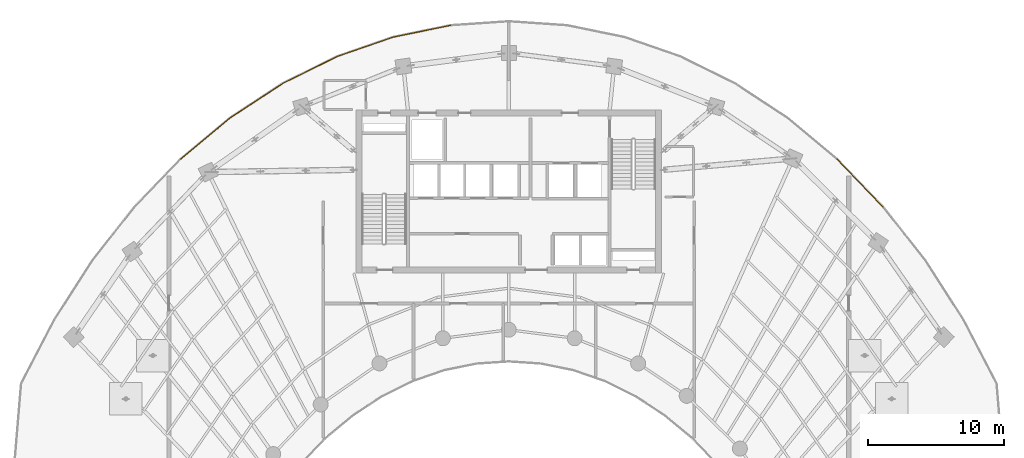
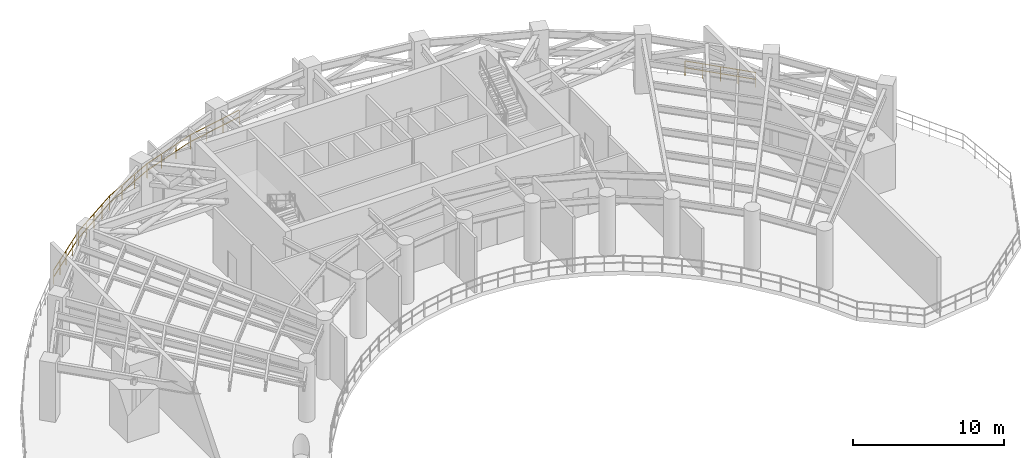
# One storey, part 21 of 24: 6 railings.
"""IFC4 building model written with IfcOpenShell, lengths in metres."""

from ifc_helpers import new_model, si_unit, direction, frame, origin, origin_2d, place, context, subcontext, project, spatial, rectangle, extrude, material, type_object, element, save


model = new_model("IFC4")

# Units and contexts
model_context = context("Model", 3, precision=1e-05, world=origin(), true_north=direction((0.0, 1.0)))
body_context = subcontext(model_context, "Body", "Model", "MODEL_VIEW")
ifc_project = project(units=[si_unit("LENGTHUNIT", "METRE"), si_unit("AREAUNIT", "SQUARE_METRE"), si_unit("VOLUMEUNIT", "CUBIC_METRE"), si_unit("PLANEANGLEUNIT", "RADIAN"), si_unit("MASSUNIT", "GRAM", prefix="KILO")], contexts=[model_context])

# Site, building, storey
site_placement = place(None, origin())
site = spatial("IfcSite", under=ifc_project, at=site_placement, CompositionType="ELEMENT")
building_placement = place(site_placement, origin())
building = spatial("IfcBuilding", under=site, at=building_placement, Name="Breltana Convention Tower", CompositionType="ELEMENT")
storey_placement = place(building_placement, frame((0.0, 0.0, 189.60009765625)))
storey = spatial("IfcBuildingStorey", under=building, at=storey_placement, Name="L46", CompositionType="ELEMENT", Elevation=189.60009765625)

# Railings
ifc_material = material(Name="Stainless Steel 316L", Category="steel")
railing_type = type_object("IfcRailingType", Name="RL-WIND-GUARD-1200", PredefinedType="BALUSTRADE", material=ifc_material)
railing_1_placement = place(storey_placement, frame((23.869873046875, 68.5810546875, 0.0)))
element("IfcRailing", 1, at=railing_1_placement, inside=storey, type_object=railing_type, Name="L46 perimeter balustrade 54", PredefinedType="BALUSTRADE", context=body_context, shape_type="SweptSolid", body=[
    extrude(rectangle(XDim=0.048095703125, YDim=0.048095703125, at=origin_2d()), frame((0.0, 0.0, 1.17578125), z_axis=(0.7679717109, 0.640483763461, 0.0), x_axis=(-0.640483763461, 0.7679717109, 0.0)), (0.0, 0.0, 1.0), 4.73193359375),
    extrude(rectangle(XDim=0.048095703125, YDim=0.048095703125, at=origin_2d()), frame((0.0, 0.0, 0.6240234375), z_axis=(0.7679717109, 0.640483763461, 0.0), x_axis=(-0.640483763461, 0.7679717109, 0.0)), (0.0, 0.0, 1.0), 4.73193359375),
    extrude(rectangle(XDim=0.0419921875, YDim=0.0419921875, at=origin_2d()), origin(), (0.0, 0.0, 1.0), 1.15185546875),
    extrude(rectangle(XDim=0.0419921875, YDim=0.0419921875, at=origin_2d()), frame((0.908447265625, 0.7578125, 0.0)), (0.0, 0.0, 1.0), 1.15185546875),
    extrude(rectangle(XDim=0.0419921875, YDim=0.0419921875, at=origin_2d()), frame((1.81689453125, 1.515380859375, 0.0)), (0.0, 0.0, 1.0), 1.15185546875),
    extrude(rectangle(XDim=0.0419921875, YDim=0.0419921875, at=origin_2d()), frame((2.7255859375, 2.27294921875, 0.0)), (0.0, 0.0, 1.0), 1.15185546875),
    extrude(rectangle(XDim=0.0419921875, YDim=0.0419921875, at=origin_2d()), frame((3.634033203125, 3.03076171875, 0.0)), (0.0, 0.0, 1.0), 1.15185546875),
])
railing_2_placement = place(storey_placement, frame((27.50390625, 71.61181640625, 0.0)))
element("IfcRailing", 2, at=railing_2_placement, inside=storey, type_object=railing_type, Name="L46 perimeter balustrade 55", PredefinedType="BALUSTRADE", context=body_context, shape_type="SweptSolid", body=[
    extrude(rectangle(XDim=0.048095703125, YDim=0.048095703125, at=origin_2d()), frame((0.0, 0.0, 1.17578125), z_axis=(0.835935222433, 0.548828118718, 0.0), x_axis=(-0.548828118718, 0.835935222433, 0.0)), (0.0, 0.0, 1.0), 4.596923828125),
    extrude(rectangle(XDim=0.048095703125, YDim=0.048095703125, at=origin_2d()), frame((0.0, 0.0, 0.6240234375), z_axis=(0.835935222433, 0.548828118718, 0.0), x_axis=(-0.548828118718, 0.835935222433, 0.0)), (0.0, 0.0, 1.0), 4.596923828125),
    extrude(rectangle(XDim=0.0419921875, YDim=0.0419921875, at=origin_2d()), origin(), (0.0, 0.0, 1.0), 1.15185546875),
    extrude(rectangle(XDim=0.0419921875, YDim=0.0419921875, at=origin_2d()), frame((0.960693359375, 0.630859375, 0.0)), (0.0, 0.0, 1.0), 1.15185546875),
    extrude(rectangle(XDim=0.0419921875, YDim=0.0419921875, at=origin_2d()), frame((1.92138671875, 1.261474609375, 0.0)), (0.0, 0.0, 1.0), 1.15185546875),
    extrude(rectangle(XDim=0.0419921875, YDim=0.0419921875, at=origin_2d()), frame((2.882080078125, 1.89208984375, 0.0)), (0.0, 0.0, 1.0), 1.15185546875),
    extrude(rectangle(XDim=0.0419921875, YDim=0.0419921875, at=origin_2d()), frame((3.8427734375, 2.52294921875, 0.0)), (0.0, 0.0, 1.0), 1.15185546875),
])
railing_3_placement = place(storey_placement, frame((31.3466796875, 74.134765625, 0.0)))
element("IfcRailing", 3, at=railing_3_placement, inside=storey, type_object=railing_type, Name="L46 perimeter balustrade 56", PredefinedType="BALUSTRADE", context=body_context, shape_type="SweptSolid", body=[
    extrude(rectangle(XDim=0.048095703125, YDim=0.048095703125, at=origin_2d()), frame((0.0, 0.0, 1.17578125), z_axis=(0.895969990972, 0.44411459701, 0.0), x_axis=(-0.44411459701, 0.895969990972, 0.0)), (0.0, 0.0, 1.0), 4.478515625),
    extrude(rectangle(XDim=0.048095703125, YDim=0.048095703125, at=origin_2d()), frame((0.0, 0.0, 0.6240234375), z_axis=(0.895969990972, 0.44411459701, 0.0), x_axis=(-0.44411459701, 0.895969990972, 0.0)), (0.0, 0.0, 1.0), 4.478515625),
    extrude(rectangle(XDim=0.0419921875, YDim=0.0419921875, at=origin_2d()), origin(), (0.0, 0.0, 1.0), 1.15185546875),
    extrude(rectangle(XDim=0.0419921875, YDim=0.0419921875, at=origin_2d()), frame((1.337646484375, 0.6630859375, 0.0)), (0.0, 0.0, 1.0), 1.15185546875),
    extrude(rectangle(XDim=0.0419921875, YDim=0.0419921875, at=origin_2d()), frame((2.675048828125, 1.325927734375, 0.0)), (0.0, 0.0, 1.0), 1.15185546875),
    extrude(rectangle(XDim=0.0419921875, YDim=0.0419921875, at=origin_2d()), frame((4.0126953125, 1.989013671875, 0.0)), (0.0, 0.0, 1.0), 1.15185546875),
])
railing_4_placement = place(storey_placement, frame((35.359375, 76.123779296875, 0.0)))
element("IfcRailing", 4, at=railing_4_placement, inside=storey, type_object=railing_type, Name="L46 perimeter balustrade 57", PredefinedType="BALUSTRADE", context=body_context, shape_type="SweptSolid", body=[
    extrude(rectangle(XDim=0.048095703125, YDim=0.048095703125, at=origin_2d()), frame((0.0, 0.0, 1.17578125), z_axis=(0.944879401388, 0.327418565192, 0.0), x_axis=(-0.327418565192, 0.944879401388, 0.0)), (0.0, 0.0, 1.0), 4.383056640625),
    extrude(rectangle(XDim=0.048095703125, YDim=0.048095703125, at=origin_2d()), frame((0.0, 0.0, 0.6240234375), z_axis=(0.944879401388, 0.327418565192, 0.0), x_axis=(-0.327418565192, 0.944879401388, 0.0)), (0.0, 0.0, 1.0), 4.383056640625),
    extrude(rectangle(XDim=0.0419921875, YDim=0.0419921875, at=origin_2d()), origin(), (0.0, 0.0, 1.0), 1.15185546875),
    extrude(rectangle(XDim=0.0419921875, YDim=0.0419921875, at=origin_2d()), frame((1.38037109375, 0.478271484375, 0.0)), (0.0, 0.0, 1.0), 1.15185546875),
    extrude(rectangle(XDim=0.0419921875, YDim=0.0419921875, at=origin_2d()), frame((2.760986328125, 0.956787109375, 0.0)), (0.0, 0.0, 1.0), 1.15185546875),
    extrude(rectangle(XDim=0.0419921875, YDim=0.0419921875, at=origin_2d()), frame((4.141357421875, 1.43505859375, 0.0)), (0.0, 0.0, 1.0), 1.15185546875),
])
railing_5_placement = place(storey_placement, frame((39.500732421875, 77.558837890625, 0.0)))
element("IfcRailing", 5, at=railing_5_placement, inside=storey, type_object=railing_type, Name="L46 perimeter balustrade 58", PredefinedType="BALUSTRADE", context=body_context, shape_type="SweptSolid", body=[
    extrude(rectangle(XDim=0.048095703125, YDim=0.048095703125, at=origin_2d()), frame((0.0, 0.0, 1.17578125), z_axis=(0.97961840065, 0.200867590987, 0.0), x_axis=(-0.200867590987, 0.97961840065, 0.0)), (0.0, 0.0, 1.0), 4.31591796875),
    extrude(rectangle(XDim=0.048095703125, YDim=0.048095703125, at=origin_2d()), frame((0.0, 0.0, 0.6240234375), z_axis=(0.97961840065, 0.200867590987, 0.0), x_axis=(-0.200867590987, 0.97961840065, 0.0)), (0.0, 0.0, 1.0), 4.31591796875),
    extrude(rectangle(XDim=0.0419921875, YDim=0.0419921875, at=origin_2d()), origin(), (0.0, 0.0, 1.0), 1.15185546875),
    extrude(rectangle(XDim=0.0419921875, YDim=0.0419921875, at=origin_2d()), frame((1.409423828125, 0.2890625, 0.0)), (0.0, 0.0, 1.0), 1.15185546875),
    extrude(rectangle(XDim=0.0419921875, YDim=0.0419921875, at=origin_2d()), frame((2.818603515625, 0.577880859375, 0.0)), (0.0, 0.0, 1.0), 1.15185546875),
    extrude(rectangle(XDim=0.0419921875, YDim=0.0419921875, at=origin_2d()), frame((4.22802734375, 0.866943359375, 0.0)), (0.0, 0.0, 1.0), 1.15185546875),
])
railing_6_placement = place(storey_placement, frame((72.130126953125, 68.5810546875, 0.0)))
element("IfcRailing", 6, at=railing_6_placement, inside=storey, type_object=railing_type, Name="L46 perimeter balustrade 66", PredefinedType="BALUSTRADE", context=body_context, shape_type="SweptSolid", body=[
    extrude(rectangle(XDim=0.048095703125, YDim=0.048095703125, at=origin_2d()), frame((0.0, 0.0, 1.17578125), z_axis=(0.694607022236, -0.7193893832, 0.0), x_axis=(0.7193893832, 0.694607022236, 0.0)), (0.0, 0.0, 1.0), 4.87646484375),
    extrude(rectangle(XDim=0.048095703125, YDim=0.048095703125, at=origin_2d()), frame((0.0, 0.0, 0.6240234375), z_axis=(0.694607022236, -0.7193893832, 0.0), x_axis=(0.7193893832, 0.694607022236, 0.0)), (0.0, 0.0, 1.0), 4.87646484375),
    extrude(rectangle(XDim=0.0419921875, YDim=0.0419921875, at=origin_2d()), origin(), (0.0, 0.0, 1.0), 1.15185546875),
    extrude(rectangle(XDim=0.0419921875, YDim=0.0419921875, at=origin_2d()), frame((0.8466796875, -0.876953125, 0.0)), (0.0, 0.0, 1.0), 1.15185546875),
    extrude(rectangle(XDim=0.0419921875, YDim=0.0419921875, at=origin_2d()), frame((1.693603515625, -1.75390625, 0.0)), (0.0, 0.0, 1.0), 1.15185546875),
    extrude(rectangle(XDim=0.0419921875, YDim=0.0419921875, at=origin_2d()), frame((2.54052734375, -2.631103515625, 0.0)), (0.0, 0.0, 1.0), 1.15185546875),
    extrude(rectangle(XDim=0.0419921875, YDim=0.0419921875, at=origin_2d()), frame((3.38720703125, -3.508056640625, 0.0)), (0.0, 0.0, 1.0), 1.15185546875),
])

save(model, "model.ifc")
